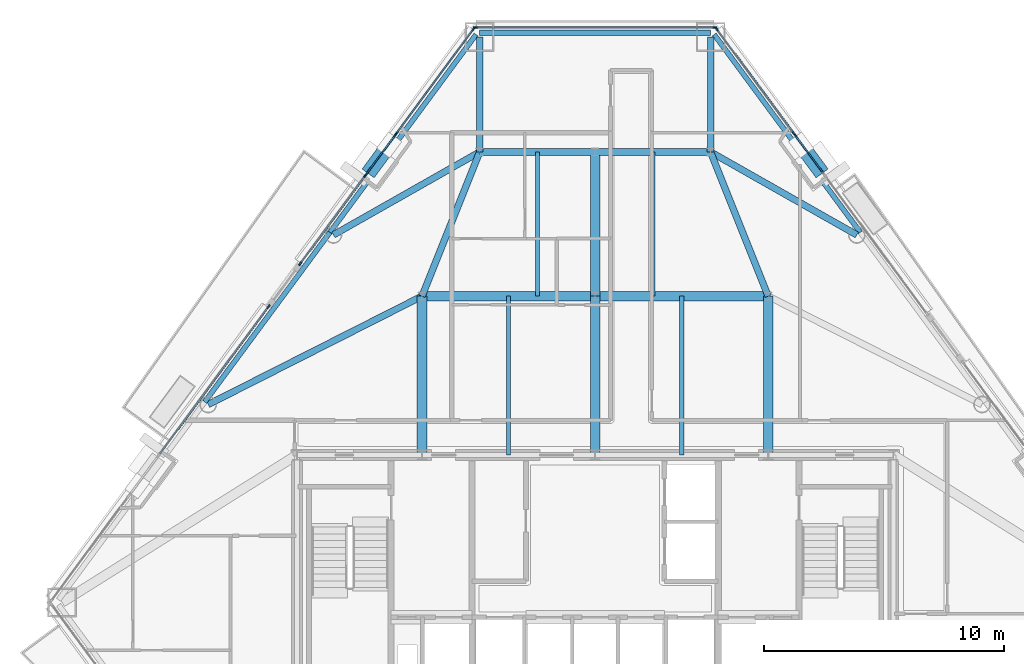
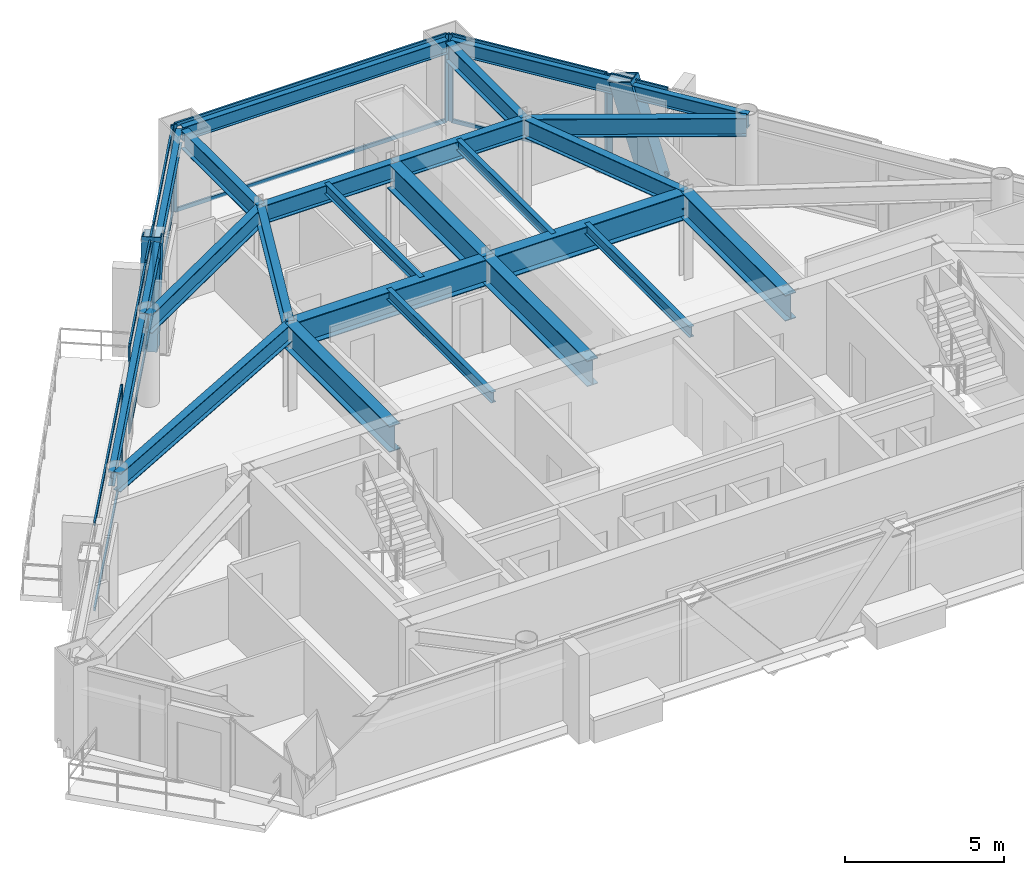
# One storey, part 4 of 11: 28 members, 23 beams, 7 elements without a shape of their own.
"""IFC4 building model written with IfcOpenShell, lengths in metres."""

from ifc_helpers import new_model, si_unit, direction, frame, origin, origin_2d, place, context, subcontext, project, spatial, rectangle, hollow_rectangle, i_section, extrude, material, layer, layer_set, material_profile, profile_set, type_object, element, aggregate, save


model = new_model("IFC4")

# Units and contexts
model_context = context("Model", 3, precision=1e-05, world=origin(), true_north=direction((0.0, 1.0)))
body_context = subcontext(model_context, "Body", "Model", "MODEL_VIEW")
ifc_project = project(units=[si_unit("LENGTHUNIT", "METRE"), si_unit("AREAUNIT", "SQUARE_METRE"), si_unit("VOLUMEUNIT", "CUBIC_METRE"), si_unit("PLANEANGLEUNIT", "RADIAN"), si_unit("MASSUNIT", "GRAM", prefix="KILO")], contexts=[model_context])

# Site, building, storey
site_placement = place(None, origin())
site = spatial("IfcSite", under=ifc_project, at=site_placement, CompositionType="ELEMENT")
building_placement = place(site_placement, origin())
building = spatial("IfcBuilding", under=site, at=building_placement, Name="Talgorran Terracotta Tower", CompositionType="ELEMENT")
storey_placement = place(building_placement, frame((0.0, 0.0, 150.89990234375)))
storey = spatial("IfcBuildingStorey", under=building, at=storey_placement, Name="L39", CompositionType="ELEMENT", Elevation=150.89990234375)

# Beams
ifc_material_1 = material(Name="Steel Grade 350 (350L0)", Category="steel")
ifc_material_profile_1 = material_profile(ifc_material_1, i_section(OverallWidth=0.39990234375, OverallDepth=1.0, WebThickness=0.01611328125, FlangeThickness=0.031005859375, at=origin_2d()), Name="1000WB296")
ifc_profile_set_1 = profile_set([ifc_material_profile_1], Name="Steel Grade 350 (350L0)")
beam_type_1 = type_object("IfcBeamType", Name="BM_1000WB296", PredefinedType="BEAM", material=ifc_profile_set_1)
for number, where, z_axis, x_axis, name in (
    (1, (-7.199951171875, -4.199951171875, 2.85009765625), (0.0, 1.0, 0.0), (-1.0, 0.0, 0.0), "L39 Floor Girder G01"),
    (2, (0.0, -4.199951171875, 2.85009765625), (0.0, 1.0, 0.0), (-1.0, 0.0, 0.0), "L39 Floor Girder G02"),
    (3, (7.199951171875, -4.199951171875, 2.85009765625), (0.0, 1.0, 0.0), (-1.0, 0.0, 0.0), "L39 Floor Girder G03"),
):
    element("IfcBeam", number, at=place(storey_placement, frame(where, z_axis=z_axis, x_axis=x_axis)), inside=storey, type_object=beam_type_1, Name=name, PredefinedType="BEAM", context=body_context, shape_type="SweptSolid", body=[
        extrude(i_section(OverallWidth=0.39990234375, OverallDepth=1.0, WebThickness=0.01611328125, FlangeThickness=0.031005859375, at=origin_2d()), origin(), (0.0, 0.0, 1.0), 6.599853515625),
    ])
for number, where, z_axis, x_axis, name in (
    (4, (-7.199951171875, 2.39990234375, 2.85009765625), (1.0, 0.0, 0.0), (0.0, 1.0, 0.0), "L39 Floor Girder G04"),
    (5, (0.0, 2.39990234375, 2.85009765625), (1.0, 0.0, 0.0), (0.0, 1.0, 0.0), "L39 Floor Girder G05"),
):
    element("IfcBeam", number, at=place(storey_placement, frame(where, z_axis=z_axis, x_axis=x_axis)), inside=storey, type_object=beam_type_1, Name=name, PredefinedType="BEAM", context=body_context, shape_type="SweptSolid", body=[
        extrude(i_section(OverallWidth=0.39990234375, OverallDepth=1.0, WebThickness=0.01611328125, FlangeThickness=0.031005859375, at=origin_2d()), origin(), (0.0, 0.0, 1.0), 7.199951171875),
    ])
beam_1_placement = place(storey_placement, frame((0.0, 2.39990234375, 2.85009765625), z_axis=(0.0, 1.0, 0.0), x_axis=(-1.0, 0.0, 0.0)))
element("IfcBeam", 6, at=beam_1_placement, inside=storey, type_object=beam_type_1, Name="L39 Floor Girder G09", PredefinedType="BEAM", context=body_context, shape_type="SweptSolid", body=[
    extrude(i_section(OverallWidth=0.39990234375, OverallDepth=1.0, WebThickness=0.01611328125, FlangeThickness=0.031005859375, at=origin_2d()), origin(), (0.0, 0.0, 1.0), 6.0),
])
ifc_material_2 = material(Name="Steel S355 (300PLUS)", Category="steel")
ifc_material_profile_2 = material_profile(ifc_material_2, i_section(OverallWidth=0.27490234375, OverallDepth=0.7080078125, WebThickness=0.011962890625, FlangeThickness=0.02490234375, at=origin_2d()), Name="700WB173")
ifc_profile_set_2 = profile_set([ifc_material_profile_2], Name="Steel S355 (300PLUS)")
beam_type_2 = type_object("IfcBeamType", Name="BM_700WB173", PredefinedType="BEAM", material=ifc_profile_set_2)
beam_2_placement = place(storey_placement, frame((-7.199951171875, 2.39990234375, 2.99609375), z_axis=(-0.892122666424, -0.451793258087, 0.0), x_axis=(0.451793258087, -0.892122666424, 0.0)))
element("IfcBeam", 7, at=beam_2_placement, inside=storey, type_object=beam_type_2, Name="L39 Floor Girder G06", PredefinedType="BEAM", context=body_context, shape_type="SweptSolid", body=[
    extrude(i_section(OverallWidth=0.27490234375, OverallDepth=0.7080078125, WebThickness=0.011962890625, FlangeThickness=0.02490234375, at=origin_2d()), origin(), (0.0, 0.0, 1.0), 9.966796875),
])
for number, where, z_axis, x_axis, name in (
    (8, (-7.199951171875, 2.39990234375, 2.99609375), (0.371377648723, 0.928481901832, 0.0), (-0.928481901832, 0.371377648723, 0.0), "L39 Floor Girder G08"),
    (9, (7.199951171875, 2.39990234375, 2.99609375), (-0.371377648723, 0.928481901832, 0.0), (-0.928481901832, -0.371377648723, 0.0), "L39 Floor Girder G10"),
):
    element("IfcBeam", number, at=place(storey_placement, frame(where, z_axis=z_axis, x_axis=x_axis)), inside=storey, type_object=beam_type_2, Name=name, PredefinedType="BEAM", context=body_context, shape_type="SweptSolid", body=[
        extrude(i_section(OverallWidth=0.27490234375, OverallDepth=0.7080078125, WebThickness=0.011962890625, FlangeThickness=0.02490234375, at=origin_2d()), origin(), (0.0, 0.0, 1.0), 6.462158203125),
    ])
for number, where, z_axis, x_axis, name in (
    (10, (-4.800048828125, 8.39990234375, 2.99609375), (1.0, 0.0, 0.0), (0.0, 1.0, 0.0), "L39 Floor Girder G11"),
    (11, (0.0, 8.39990234375, 2.99609375), (1.0, 0.0, 0.0), (0.0, 1.0, 0.0), "L39 Floor Girder G12"),
):
    element("IfcBeam", number, at=place(storey_placement, frame(where, z_axis=z_axis, x_axis=x_axis)), inside=storey, type_object=beam_type_2, Name=name, PredefinedType="BEAM", context=body_context, shape_type="SweptSolid", body=[
        extrude(i_section(OverallWidth=0.27490234375, OverallDepth=0.7080078125, WebThickness=0.011962890625, FlangeThickness=0.02490234375, at=origin_2d()), origin(), (0.0, 0.0, 1.0), 4.800048828125),
    ])
for number, where, z_axis, x_axis, name in (
    (12, (-4.800048828125, 8.39990234375, 2.99609375), (-0.869819954878, -0.493369279644, 0.0), (0.493369279644, -0.869819954878, 0.0), "L39 Floor Girder G13"),
    (13, (4.800048828125, 8.39990234375, 2.99609375), (0.869819954878, -0.493369279644, 0.0), (0.493369279644, 0.869819954878, 0.0), "L39 Floor Girder G14"),
):
    element("IfcBeam", number, at=place(storey_placement, frame(where, z_axis=z_axis, x_axis=x_axis)), inside=storey, type_object=beam_type_2, Name=name, PredefinedType="BEAM", context=body_context, shape_type="SweptSolid", body=[
        extrude(i_section(OverallWidth=0.27490234375, OverallDepth=0.7080078125, WebThickness=0.011962890625, FlangeThickness=0.02490234375, at=origin_2d()), origin(), (0.0, 0.0, 1.0), 6.9931640625),
    ])
for number, where, z_axis, x_axis, name in (
    (14, (-4.800048828125, 8.39990234375, 2.99609375), (-0.001277399193, 0.999999184125, 0.0), (-0.999999184125, -0.001277399193, 0.0), "L39 Floor Girder G15"),
    (15, (4.800048828125, 8.39990234375, 2.99609375), (0.001277399193, 0.999999184125, 0.0), (-0.999999184125, 0.001277399193, 0.0), "L39 Floor Girder G16"),
):
    element("IfcBeam", number, at=place(storey_placement, frame(where, z_axis=z_axis, x_axis=x_axis)), inside=storey, type_object=beam_type_2, Name=name, PredefinedType="BEAM", context=body_context, shape_type="SweptSolid", body=[
        extrude(i_section(OverallWidth=0.27490234375, OverallDepth=0.7080078125, WebThickness=0.011962890625, FlangeThickness=0.02490234375, at=origin_2d()), origin(), (0.0, 0.0, 1.0), 4.778076171875),
    ])
ifc_material_profile_3 = material_profile(ifc_material_2, i_section(OverallWidth=0.177734375, OverallDepth=0.406494140625, WebThickness=0.0078125, FlangeThickness=0.0126953125, at=origin_2d()), Name="410UB59.7")
ifc_profile_set_3 = profile_set([ifc_material_profile_3], Name="Steel S355 (300PLUS)")
beam_type_3 = type_object("IfcBeamType", Name="BM_JS_410UB60", PredefinedType="JOIST", material=ifc_profile_set_3)
for number, where, z_axis, x_axis, name in (
    (16, (-3.60009765625, -4.199951171875, 3.14697265625), (0.0, 1.0, 0.0), (-1.0, 0.0, 0.0), "L39 Secondary Joist J01"),
    (17, (3.60009765625, -4.199951171875, 3.14697265625), (0.0, 1.0, 0.0), (-1.0, 0.0, 0.0), "L39 Secondary Joist J02"),
):
    element("IfcBeam", number, at=place(storey_placement, frame(where, z_axis=z_axis, x_axis=x_axis)), inside=storey, type_object=beam_type_3, Name=name, PredefinedType="JOIST", context=body_context, shape_type="SweptSolid", body=[
        extrude(i_section(OverallWidth=0.177734375, OverallDepth=0.406494140625, WebThickness=0.0078125, FlangeThickness=0.0126953125, at=origin_2d()), origin(), (0.0, 0.0, 1.0), 6.599853515625),
    ])
for number, where, z_axis, x_axis, name in (
    (18, (-2.39990234375, 2.39990234375, 3.14697265625), (0.0, 1.0, 0.0), (-1.0, 0.0, 0.0), "L39 Secondary Joist J03"),
    (19, (2.39990234375, 2.39990234375, 3.14697265625), (0.0, 1.0, 0.0), (-1.0, 0.0, 0.0), "L39 Secondary Joist J04"),
):
    element("IfcBeam", number, at=place(storey_placement, frame(where, z_axis=z_axis, x_axis=x_axis)), inside=storey, type_object=beam_type_3, Name=name, PredefinedType="JOIST", context=body_context, shape_type="SweptSolid", body=[
        extrude(i_section(OverallWidth=0.177734375, OverallDepth=0.406494140625, WebThickness=0.0078125, FlangeThickness=0.0126953125, at=origin_2d()), origin(), (0.0, 0.0, 1.0), 6.0),
    ])
ifc_material_profile_4 = material_profile(ifc_material_2, i_section(OverallWidth=0.209228515625, OverallDepth=0.532958984375, WebThickness=0.01025390625, FlangeThickness=0.015625, at=origin_2d()), Name="530UB92.4")
ifc_profile_set_4 = profile_set([ifc_material_profile_4], Name="Steel S355 (300PLUS)")
beam_type_4 = type_object("IfcBeamType", Name="BM_SP_530UB92", PredefinedType="SPANDREL", material=ifc_profile_set_4)
beam_3_placement = place(storey_placement, frame((11.027587890625, 5.056640625, 3.08349609375), z_axis=(-0.594068215055, 0.804414666613, 0.0), x_axis=(-0.804414666613, -0.594068215055, 0.0)))
element("IfcBeam", 20, at=beam_3_placement, inside=storey, type_object=beam_type_4, Name="L39 Perimeter Spandrel Beam FC4-MC5", PredefinedType="SPANDREL", context=body_context, shape_type="SweptSolid", body=[
    extrude(i_section(OverallWidth=0.209228515625, OverallDepth=0.532958984375, WebThickness=0.01025390625, FlangeThickness=0.015625, at=origin_2d()), origin(), (0.0, 0.0, 1.0), 10.22900390625),
])
beam_4_placement = place(storey_placement, frame((4.80615234375, 13.35791015625, 3.08349609375), z_axis=(-1.0, 0.0, 0.0), x_axis=(0.0, -1.0, 0.0)))
element("IfcBeam", 21, at=beam_4_placement, inside=storey, type_object=beam_type_4, Name="L39 Perimeter Spandrel Beam MC5-MC6", PredefinedType="SPANDREL", context=body_context, shape_type="SweptSolid", body=[
    extrude(i_section(OverallWidth=0.209228515625, OverallDepth=0.532958984375, WebThickness=0.01025390625, FlangeThickness=0.015625, at=origin_2d()), origin(), (0.0, 0.0, 1.0), 9.6123046875),
])
beam_5_placement = place(storey_placement, frame((-4.950927734375, 13.284912109375, 3.08349609375), z_axis=(-0.594068215055, -0.804414666613, 0.0), x_axis=(0.804414666613, -0.594068215055, 0.0)))
element("IfcBeam", 22, at=beam_5_placement, inside=storey, type_object=beam_type_4, Name="L39 Perimeter Spandrel Beam MC6-FC5", PredefinedType="SPANDREL", context=body_context, shape_type="SweptSolid", body=[
    extrude(i_section(OverallWidth=0.209228515625, OverallDepth=0.532958984375, WebThickness=0.01025390625, FlangeThickness=0.015625, at=origin_2d()), origin(), (0.0, 0.0, 1.0), 10.22900390625),
])
beam_6_placement = place(storey_placement, frame((-11.027587890625, 5.056640625, 3.08349609375), z_axis=(-0.594084887131, -0.804402353852, 0.0), x_axis=(0.804402353852, -0.594084887131, 0.0)))
element("IfcBeam", 23, at=beam_6_placement, inside=storey, type_object=beam_type_4, Name="L39 Perimeter Spandrel Beam FC5-FC6", PredefinedType="SPANDREL", context=body_context, shape_type="SweptSolid", body=[
    extrude(i_section(OverallWidth=0.209228515625, OverallDepth=0.532958984375, WebThickness=0.01025390625, FlangeThickness=0.015625, at=origin_2d()), origin(), (0.0, 0.0, 1.0), 8.767578125),
])

# Members
ifc_material_profile_5 = material_profile(ifc_material_1, hollow_rectangle(XDim=0.6201171875, YDim=0.780029296875, WallThickness=0.0419921875, at=origin_2d()), Name="WBOX780X620X42")
ifc_profile_set_5 = profile_set([ifc_material_profile_5], Name="Steel Grade 350 (350L0)")
member_type_1 = type_object("IfcMemberType", Name="MB_MEGA_780", PredefinedType="BRACE", material=ifc_profile_set_5)
for number, where, z_axis, x_axis, name in (
    (24, (9.218505859375, 7.809326171875, -0.27001953125), (-0.171301793506, 0.23197251483, 0.957519946479), (-0.80443490203, -0.594040813747, 0.0), "L39 Exterior Face Mega-Brace MB-2 (NEU)"),
    (25, (-9.218505859375, 7.809326171875, -0.27001953125), (0.171301793506, 0.23197251483, 0.957519946479), (-0.80443490203, 0.594040813747, 0.0), "L39 Exterior Face Mega-Brace MB-2 (NWU)"),
):
    element("IfcMember", number, at=place(storey_placement, frame(where, z_axis=z_axis, x_axis=x_axis)), inside=storey, type_object=member_type_1, Name=name, PredefinedType="BRACE", context=body_context, shape_type="SweptSolid", body=[
        extrude(hollow_rectangle(XDim=0.6201171875, YDim=0.780029296875, WallThickness=0.0419921875, at=origin_2d()), origin(), (0.0, 0.0, 1.0), 3.806640625),
    ])

# Curtain wall, member
ifc_material_3 = material(Name="Unitised Low-E Double Glazing", Category="glass")
ifc_layer = layer(ifc_material_3, 0.199951171875, Name="CW_SYS2_RES_LOW")
ifc_layer_set = layer_set([ifc_layer], Name="Unitised Low-E Double Glazing")
curtain_wall_type = type_object("IfcCurtainWallType", Name="CW_SYS2_RES_LOW", PredefinedType="NOTDEFINED", material=ifc_layer_set)
curtain_wall_1_placement = place(storey_placement, origin())
curtain_wall_1 = element("IfcCurtainWall", 26, at=curtain_wall_1_placement, inside=storey, type_object=curtain_wall_type, Name="CW-L39-F41B", PredefinedType="NOTDEFINED")
ifc_material_4 = material(Name="Architectural Aluminium 6063-T6", Category="aluminium")
ifc_material_profile_6 = material_profile(ifc_material_4, rectangle(XDim=0.06494140625, YDim=0.18505859375, at=origin_2d()), Name="CWM65X185")
ifc_profile_set_6 = profile_set([ifc_material_profile_6], Name="Architectural Aluminium 6063-T6")
member_type_2 = type_object("IfcMemberType", Name="MUL_65X185", PredefinedType="MULLION", material=ifc_profile_set_6)
member_1_placement = place(storey_placement, frame((8.309814453125, 9.107177734375, 0.0), z_axis=(0.0, 0.0, 1.0), x_axis=(-0.804405088152, -0.594081184818, 0.0)))
member_1 = element("IfcMember", 27, at=member_1_placement, type_object=member_type_2, Name="CW-L39-41B mullion 2", PredefinedType="MULLION", context=body_context, shape_type="SweptSolid", body=[
    extrude(rectangle(XDim=0.06494140625, YDim=0.18505859375, at=origin_2d()), origin(), (0.0, 0.0, 1.0), 3.35009765625),
])

# Curtain wall, members
curtain_wall_2_placement = place(storey_placement, origin())
curtain_wall_2 = element("IfcCurtainWall", 28, at=curtain_wall_2_placement, inside=storey, type_object=curtain_wall_type, Name="CW-L39-F41C", PredefinedType="NOTDEFINED")
member_2_placement = place(storey_placement, frame((8.265380859375, 9.16748046875, 0.0), z_axis=(0.0, 0.0, 1.0), x_axis=(-0.804405337674, -0.594080846957, 0.0)))
member_2 = element("IfcMember", 29, at=member_2_placement, type_object=member_type_2, Name="CW-L39-41C mullion 1", PredefinedType="MULLION", context=body_context, shape_type="SweptSolid", body=[
    extrude(rectangle(XDim=0.06494140625, YDim=0.18505859375, at=origin_2d()), origin(), (0.0, 0.0, 1.0), 3.35009765625),
])
member_3_placement = place(storey_placement, frame((5.051025390625, 13.51953125, 0.0), z_axis=(0.0, 0.0, 1.0), x_axis=(-0.804405337674, -0.594080846957, 0.0)))
member_3 = element("IfcMember", 30, at=member_3_placement, type_object=member_type_2, Name="CW-L39-41C mullion 2", PredefinedType="MULLION", context=body_context, shape_type="SweptSolid", body=[
    extrude(rectangle(XDim=0.06494140625, YDim=0.18505859375, at=origin_2d()), origin(), (0.0, 0.0, 1.0), 3.35009765625),
])

curtain_wall_3_placement = place(storey_placement, origin())
curtain_wall_3 = element("IfcCurtainWall", 31, at=curtain_wall_3_placement, inside=storey, type_object=curtain_wall_type, Name="CW-L39-F4", PredefinedType="NOTDEFINED")
member_4_placement = place(storey_placement, frame((4.9755859375, 13.577880859375, 0.0), z_axis=(0.0, 0.0, 1.0), x_axis=(0.0, -1.0, 0.0)))
member_4 = element("IfcMember", 32, at=member_4_placement, type_object=member_type_2, Name="CW-L39-4 mullion 1", PredefinedType="MULLION", context=body_context, shape_type="SweptSolid", body=[
    extrude(rectangle(XDim=0.06494140625, YDim=0.18505859375, at=origin_2d()), origin(), (0.0, 0.0, 1.0), 3.35009765625),
])
member_5_placement = place(storey_placement, frame((-4.9755859375, 13.577880859375, 0.0), z_axis=(0.0, 0.0, 1.0), x_axis=(0.0, -1.0, 0.0)))
member_5 = element("IfcMember", 33, at=member_5_placement, type_object=member_type_2, Name="CW-L39-4 mullion 2", PredefinedType="MULLION", context=body_context, shape_type="SweptSolid", body=[
    extrude(rectangle(XDim=0.06494140625, YDim=0.18505859375, at=origin_2d()), origin(), (0.0, 0.0, 1.0), 3.35009765625),
])

curtain_wall_4_placement = place(storey_placement, origin())
curtain_wall_4 = element("IfcCurtainWall", 34, at=curtain_wall_4_placement, inside=storey, type_object=curtain_wall_type, Name="CW-L39-F60", PredefinedType="NOTDEFINED")
member_6_placement = place(storey_placement, frame((-5.051025390625, 13.51953125, 0.0), z_axis=(0.0, 0.0, 1.0), x_axis=(0.804405337674, -0.594080846957, 0.0)))
member_6 = element("IfcMember", 35, at=member_6_placement, type_object=member_type_2, Name="CW-L39-60 mullion 1", PredefinedType="MULLION", context=body_context, shape_type="SweptSolid", body=[
    extrude(rectangle(XDim=0.06494140625, YDim=0.18505859375, at=origin_2d()), origin(), (0.0, 0.0, 1.0), 3.35009765625),
])
member_7_placement = place(storey_placement, frame((-8.265380859375, 9.16748046875, 0.0), z_axis=(0.0, 0.0, 1.0), x_axis=(0.804405337674, -0.594080846957, 0.0)))
member_7 = element("IfcMember", 36, at=member_7_placement, type_object=member_type_2, Name="CW-L39-60 mullion 2", PredefinedType="MULLION", context=body_context, shape_type="SweptSolid", body=[
    extrude(rectangle(XDim=0.06494140625, YDim=0.18505859375, at=origin_2d()), origin(), (0.0, 0.0, 1.0), 3.35009765625),
])

curtain_wall_5_placement = place(storey_placement, origin())
curtain_wall_5 = element("IfcCurtainWall", 37, at=curtain_wall_5_placement, inside=storey, type_object=curtain_wall_type, Name="CW-L39-F60B", PredefinedType="NOTDEFINED")
member_8_placement = place(storey_placement, frame((-8.309814453125, 9.107177734375, 0.0), z_axis=(0.0, 0.0, 1.0), x_axis=(0.804405088152, -0.594081184818, 0.0)))
member_8 = element("IfcMember", 38, at=member_8_placement, type_object=member_type_2, Name="CW-L39-60B mullion 1", PredefinedType="MULLION", context=body_context, shape_type="SweptSolid", body=[
    extrude(rectangle(XDim=0.06494140625, YDim=0.18505859375, at=origin_2d()), origin(), (0.0, 0.0, 1.0), 3.35009765625),
])
member_9_placement = place(storey_placement, frame((-9.51123046875, 7.480224609375, 0.0), z_axis=(0.0, 0.0, 1.0), x_axis=(0.804405088152, -0.594081184818, 0.0)))
member_9 = element("IfcMember", 39, at=member_9_placement, type_object=member_type_2, Name="CW-L39-60B mullion 2", PredefinedType="MULLION", context=body_context, shape_type="SweptSolid", body=[
    extrude(rectangle(XDim=0.06494140625, YDim=0.18505859375, at=origin_2d()), origin(), (0.0, 0.0, 1.0), 3.35009765625),
])

curtain_wall_6_placement = place(storey_placement, origin())
curtain_wall_6 = element("IfcCurtainWall", 40, at=curtain_wall_6_placement, inside=storey, type_object=curtain_wall_type, Name="CW-L39-F60C", PredefinedType="NOTDEFINED")
member_10_placement = place(storey_placement, frame((-9.555908203125, 7.419921875, 0.0), z_axis=(0.0, 0.0, 1.0), x_axis=(0.804408605285, -0.594076422477, 0.0)))
member_10 = element("IfcMember", 41, at=member_10_placement, type_object=member_type_2, Name="CW-L39-60C mullion 1", PredefinedType="MULLION", context=body_context, shape_type="SweptSolid", body=[
    extrude(rectangle(XDim=0.06494140625, YDim=0.18505859375, at=origin_2d()), origin(), (0.0, 0.0, 1.0), 3.35009765625),
])
member_11_placement = place(storey_placement, frame((-12.26220703125, 3.755126953125, 0.0), z_axis=(0.0, 0.0, 1.0), x_axis=(0.804408605285, -0.594076422477, 0.0)))
member_11 = element("IfcMember", 42, at=member_11_placement, type_object=member_type_2, Name="CW-L39-60C mullion 2", PredefinedType="MULLION", context=body_context, shape_type="SweptSolid", body=[
    extrude(rectangle(XDim=0.06494140625, YDim=0.18505859375, at=origin_2d()), origin(), (0.0, 0.0, 1.0), 3.35009765625),
])

# Curtain wall, member
curtain_wall_7_placement = place(storey_placement, origin())
curtain_wall_7 = element("IfcCurtainWall", 43, at=curtain_wall_7_placement, inside=storey, type_object=curtain_wall_type, Name="CW-L39-F61", PredefinedType="NOTDEFINED")
member_12_placement = place(storey_placement, frame((-13.584228515625, 1.965576171875, 0.0), z_axis=(0.0, 0.0, 1.0), x_axis=(0.804406965386, -0.594078642975, 0.0)))
member_12 = element("IfcMember", 44, at=member_12_placement, type_object=member_type_2, Name="CW-L39-61 mullion 1", PredefinedType="MULLION", context=body_context, shape_type="SweptSolid", body=[
    extrude(rectangle(XDim=0.06494140625, YDim=0.18505859375, at=origin_2d()), origin(), (0.0, 0.0, 1.0), 3.35009765625),
])

# Member
ifc_material_profile_7 = material_profile(ifc_material_4, rectangle(XDim=0.06494140625, YDim=0.14990234375, at=origin_2d()), Name="CWT65X150")
ifc_profile_set_7 = profile_set([ifc_material_profile_7], Name="Architectural Aluminium 6063-T6")
member_type_3 = type_object("IfcMemberType", Name="TRN_65X150", PredefinedType="USERDEFINED", material=ifc_profile_set_7)
member_13_placement = place(storey_placement, frame((9.491943359375, 7.506591796875, 0.03271484375), z_axis=(-0.594156034945, 0.804349803343, 0.0), x_axis=(-0.804349803343, -0.594156034945, 0.0)))
member_13 = element("IfcMember", 45, at=member_13_placement, type_object=member_type_3, Name="CW-L39-41B transom 1.1", ObjectType="TRANSOM", PredefinedType="USERDEFINED", context=body_context, shape_type="SweptSolid", body=[
    extrude(rectangle(XDim=0.06494140625, YDim=0.14990234375, at=origin_2d()), origin(), (0.0, 0.0, 1.0), 1.95703125),
])

member_14_placement = place(storey_placement, frame((9.491943359375, 7.506591796875, 3.317626953125), z_axis=(-0.594156034945, 0.804349803343, 0.0), x_axis=(-0.804349803343, -0.594156034945, 0.0)))
member_14 = element("IfcMember", 46, at=member_14_placement, type_object=member_type_3, Name="CW-L39-41B transom 1.2", ObjectType="TRANSOM", PredefinedType="USERDEFINED", context=body_context, shape_type="SweptSolid", body=[
    extrude(rectangle(XDim=0.06494140625, YDim=0.14990234375, at=origin_2d()), origin(), (0.0, 0.0, 1.0), 1.95703125),
])

aggregate(curtain_wall_1, [member_1, member_13, member_14])

member_15_placement = place(storey_placement, frame((8.24609375, 9.193603515625, 0.03271484375), z_axis=(-0.594108502285, 0.804384912534, 0.0), x_axis=(-0.804384912534, -0.594108502285, 0.0)))
member_15 = element("IfcMember", 47, at=member_15_placement, type_object=member_type_3, Name="CW-L39-41C transom 1.1", ObjectType="TRANSOM", PredefinedType="USERDEFINED", context=body_context, shape_type="SweptSolid", body=[
    extrude(rectangle(XDim=0.06494140625, YDim=0.14990234375, at=origin_2d()), origin(), (0.0, 0.0, 1.0), 5.345458984375),
])

member_16_placement = place(storey_placement, frame((8.24609375, 9.193603515625, 3.317626953125), z_axis=(-0.594108502285, 0.804384912534, 0.0), x_axis=(-0.804384912534, -0.594108502285, 0.0)))
member_16 = element("IfcMember", 48, at=member_16_placement, type_object=member_type_3, Name="CW-L39-41C transom 1.2", ObjectType="TRANSOM", PredefinedType="USERDEFINED", context=body_context, shape_type="SweptSolid", body=[
    extrude(rectangle(XDim=0.06494140625, YDim=0.14990234375, at=origin_2d()), origin(), (0.0, 0.0, 1.0), 5.345458984375),
])

aggregate(curtain_wall_2, [member_2, member_3, member_15, member_16])

member_17_placement = place(storey_placement, frame((4.943115234375, 13.577880859375, 0.03271484375), z_axis=(-1.0, 0.0, 0.0), x_axis=(0.0, -1.0, 0.0)))
member_17 = element("IfcMember", 49, at=member_17_placement, type_object=member_type_3, Name="CW-L39-4 transom 1.1", ObjectType="TRANSOM", PredefinedType="USERDEFINED", context=body_context, shape_type="SweptSolid", body=[
    extrude(rectangle(XDim=0.06494140625, YDim=0.14990234375, at=origin_2d()), origin(), (0.0, 0.0, 1.0), 9.88623046875),
])

member_18_placement = place(storey_placement, frame((4.943115234375, 13.577880859375, 3.317626953125), z_axis=(-1.0, 0.0, 0.0), x_axis=(0.0, -1.0, 0.0)))
member_18 = element("IfcMember", 50, at=member_18_placement, type_object=member_type_3, Name="CW-L39-4 transom 1.2", ObjectType="TRANSOM", PredefinedType="USERDEFINED", context=body_context, shape_type="SweptSolid", body=[
    extrude(rectangle(XDim=0.06494140625, YDim=0.14990234375, at=origin_2d()), origin(), (0.0, 0.0, 1.0), 9.88623046875),
])

aggregate(curtain_wall_3, [member_4, member_5, member_17, member_18])

member_19_placement = place(storey_placement, frame((-5.0703125, 13.493408203125, 0.03271484375), z_axis=(-0.594108502285, -0.804384912534, 0.0), x_axis=(0.804384912534, -0.594108502285, 0.0)))
member_19 = element("IfcMember", 51, at=member_19_placement, type_object=member_type_3, Name="CW-L39-60 transom 1.1", ObjectType="TRANSOM", PredefinedType="USERDEFINED", context=body_context, shape_type="SweptSolid", body=[
    extrude(rectangle(XDim=0.06494140625, YDim=0.14990234375, at=origin_2d()), origin(), (0.0, 0.0, 1.0), 5.345458984375),
])

member_20_placement = place(storey_placement, frame((-5.0703125, 13.493408203125, 3.317626953125), z_axis=(-0.594108502285, -0.804384912534, 0.0), x_axis=(0.804384912534, -0.594108502285, 0.0)))
member_20 = element("IfcMember", 52, at=member_20_placement, type_object=member_type_3, Name="CW-L39-60 transom 1.2", ObjectType="TRANSOM", PredefinedType="USERDEFINED", context=body_context, shape_type="SweptSolid", body=[
    extrude(rectangle(XDim=0.06494140625, YDim=0.14990234375, at=origin_2d()), origin(), (0.0, 0.0, 1.0), 5.345458984375),
])

aggregate(curtain_wall_4, [member_6, member_7, member_19, member_20])

member_21_placement = place(storey_placement, frame((-8.3291015625, 9.080810546875, 0.03271484375), z_axis=(-0.594156034945, -0.804349803343, 0.0), x_axis=(0.804349803343, -0.594156034945, 0.0)))
member_21 = element("IfcMember", 53, at=member_21_placement, type_object=member_type_3, Name="CW-L39-60B transom 1.1", ObjectType="TRANSOM", PredefinedType="USERDEFINED", context=body_context, shape_type="SweptSolid", body=[
    extrude(rectangle(XDim=0.06494140625, YDim=0.14990234375, at=origin_2d()), origin(), (0.0, 0.0, 1.0), 1.95703125),
])

member_22_placement = place(storey_placement, frame((-8.3291015625, 9.080810546875, 3.317626953125), z_axis=(-0.594156034945, -0.804349803343, 0.0), x_axis=(0.804349803343, -0.594156034945, 0.0)))
member_22 = element("IfcMember", 54, at=member_22_placement, type_object=member_type_3, Name="CW-L39-60B transom 1.2", ObjectType="TRANSOM", PredefinedType="USERDEFINED", context=body_context, shape_type="SweptSolid", body=[
    extrude(rectangle(XDim=0.06494140625, YDim=0.14990234375, at=origin_2d()), origin(), (0.0, 0.0, 1.0), 1.95703125),
])

aggregate(curtain_wall_5, [member_8, member_9, member_21, member_22])

member_23_placement = place(storey_placement, frame((-9.5751953125, 7.393798828125, 0.03271484375), z_axis=(-0.594068466616, -0.804414480832, 0.0), x_axis=(0.804414480832, -0.594068466616, 0.0)))
member_23 = element("IfcMember", 55, at=member_23_placement, type_object=member_type_3, Name="CW-L39-60C transom 1.1", ObjectType="TRANSOM", PredefinedType="USERDEFINED", context=body_context, shape_type="SweptSolid", body=[
    extrude(rectangle(XDim=0.06494140625, YDim=0.14990234375, at=origin_2d()), origin(), (0.0, 0.0, 1.0), 4.49072265625),
])

member_24_placement = place(storey_placement, frame((-9.5751953125, 7.393798828125, 3.317626953125), z_axis=(-0.594068466616, -0.804414480832, 0.0), x_axis=(0.804414480832, -0.594068466616, 0.0)))
member_24 = element("IfcMember", 56, at=member_24_placement, type_object=member_type_3, Name="CW-L39-60C transom 1.2", ObjectType="TRANSOM", PredefinedType="USERDEFINED", context=body_context, shape_type="SweptSolid", body=[
    extrude(rectangle(XDim=0.06494140625, YDim=0.14990234375, at=origin_2d()), origin(), (0.0, 0.0, 1.0), 4.49072265625),
])

aggregate(curtain_wall_6, [member_10, member_11, member_23, member_24])

member_25_placement = place(storey_placement, frame((-13.603515625, 1.939208984375, 0.03271484375), z_axis=(-0.59406489901, -0.804417115534, 0.0), x_axis=(0.804417115534, -0.59406489901, 0.0)))
member_25 = element("IfcMember", 57, at=member_25_placement, type_object=member_type_3, Name="CW-L39-61 transom 1.1", ObjectType="TRANSOM", PredefinedType="USERDEFINED", context=body_context, shape_type="SweptSolid", body=[
    extrude(rectangle(XDim=0.06494140625, YDim=0.14990234375, at=origin_2d()), origin(), (0.0, 0.0, 1.0), 7.556884765625),
])

member_26_placement = place(storey_placement, frame((-13.603515625, 1.939208984375, 3.317626953125), z_axis=(-0.59406489901, -0.804417115534, 0.0), x_axis=(0.804417115534, -0.59406489901, 0.0)))
member_26 = element("IfcMember", 58, at=member_26_placement, type_object=member_type_3, Name="CW-L39-61 transom 1.2", ObjectType="TRANSOM", PredefinedType="USERDEFINED", context=body_context, shape_type="SweptSolid", body=[
    extrude(rectangle(XDim=0.06494140625, YDim=0.14990234375, at=origin_2d()), origin(), (0.0, 0.0, 1.0), 7.556884765625),
])

aggregate(curtain_wall_7, [member_12, member_25, member_26])

save(model, "model.ifc")
